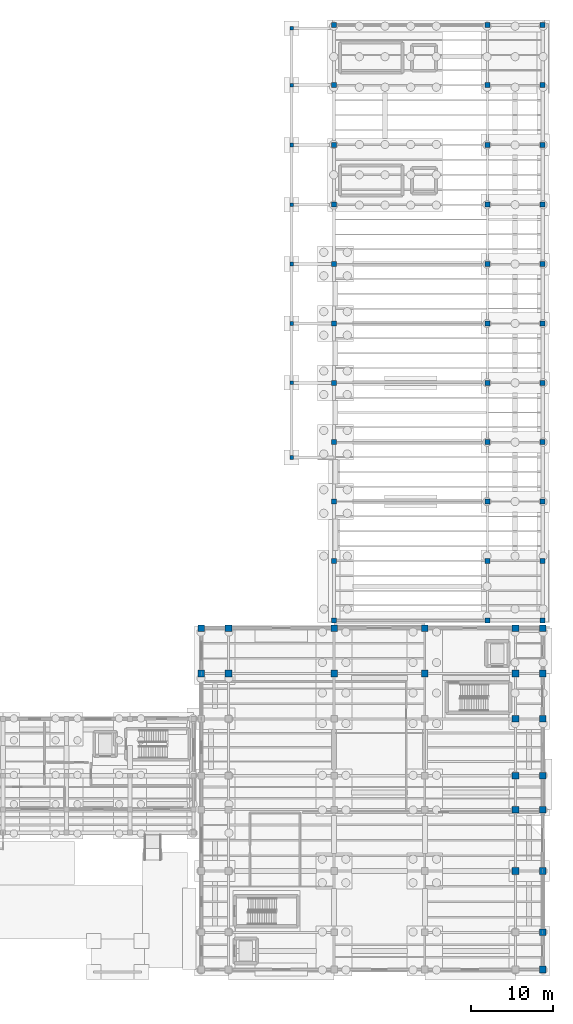
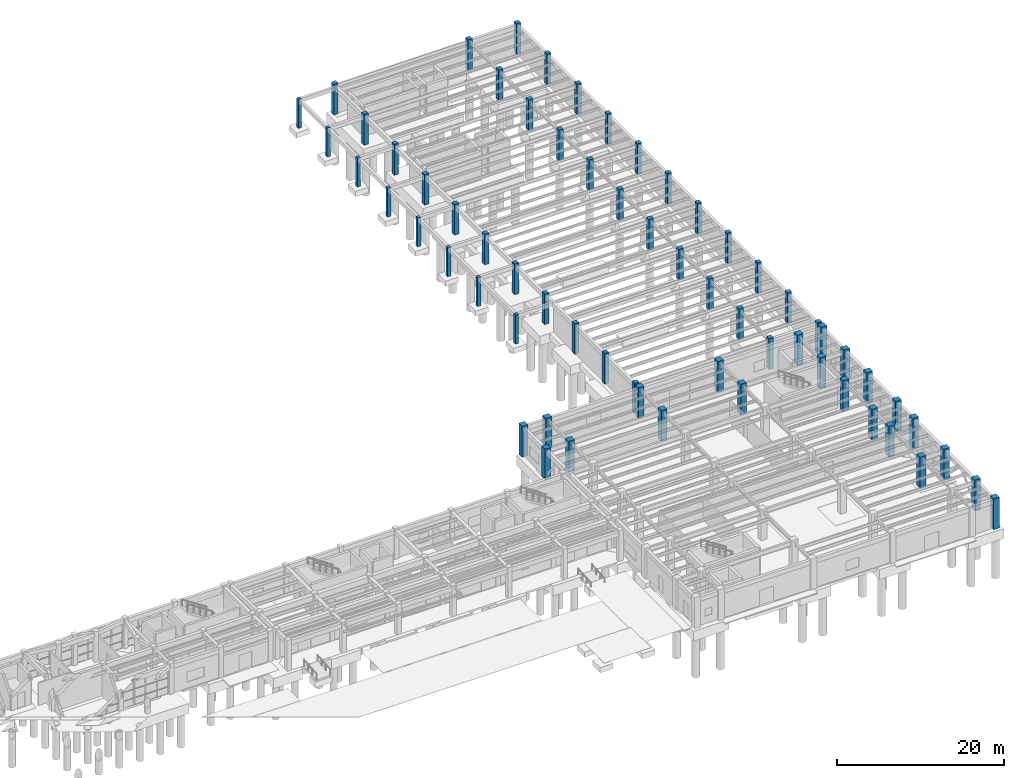
# One storey, part 7 of 41: 63 columns.
"""IFC4 building model written with IfcOpenShell, lengths in metres."""

from ifc_helpers import new_model, si_unit, direction, frame, origin, origin_2d, place, context, subcontext, project, spatial, rectangle, extrude, material, material_profile, profile_set, type_object, element, save


model = new_model("IFC4")

# Units and contexts
model_context = context("Model", 3, precision=1e-05, world=origin(), true_north=direction((0.0, 1.0)))
body_context = subcontext(model_context, "Body", "Model", "MODEL_VIEW")
ifc_project = project(units=[si_unit("LENGTHUNIT", "METRE"), si_unit("AREAUNIT", "SQUARE_METRE"), si_unit("VOLUMEUNIT", "CUBIC_METRE"), si_unit("PLANEANGLEUNIT", "RADIAN"), si_unit("MASSUNIT", "GRAM", prefix="KILO")], contexts=[model_context])

# Site, building, storey
site_placement = place(None, origin())
site = spatial("IfcSite", under=ifc_project, at=site_placement, CompositionType="ELEMENT")
building_placement = place(site_placement, origin())
building = spatial("IfcBuilding", under=site, at=building_placement, Name="Candilejo Ridge Gondola Terminal", CompositionType="ELEMENT")
storey_placement = place(building_placement, origin())
storey = spatial("IfcBuildingStorey", under=building, at=storey_placement, Name="L00", CompositionType="ELEMENT", Elevation=0.0)

# Columns
ifc_material_1 = material(Name="Concrete f'c 35 MPa (C35/45)", Category="concrete")
ifc_material_profile_1 = material_profile(ifc_material_1, rectangle(XDim=0.449951171875, YDim=0.449951171875, at=origin_2d()))
ifc_profile_set_1 = profile_set([ifc_material_profile_1], Name="Concrete f'c 35 MPa (C35/45)")
column_type_1 = type_object("IfcColumnType", Name="STR-COL-RC450", PredefinedType="COLUMN", material=ifc_profile_set_1)
for number, where, z_axis, x_axis, name in (
    (1, (144.85009765625, 68.39990234375, 0.0), (0.0, 0.0, 1.0), (1.0, 0.0, 0.0), "Bench ledge pier column 01"),
    (2, (144.85009765625, 77.449951171875, 0.0), (0.0, 0.0, 1.0), (1.0, 0.0, 0.0), "Bench ledge pier column 02"),
    (3, (144.85009765625, 84.64990234375, 0.0), (0.0, 0.0, 1.0), (1.0, 0.0, 0.0), "Bench ledge pier column 03"),
    (4, (144.85009765625, 91.85009765625, 0.0), (0.0, 0.0, 1.0), (1.0, 0.0, 0.0), "Bench ledge pier column 04"),
    (5, (144.85009765625, 99.050048828125, 0.0), (0.0, 0.0, 1.0), (1.0, 0.0, 0.0), "Bench ledge pier column 05"),
    (6, (144.85009765625, 106.300048828125, 0.0), (0.0, 0.0, 1.0), (1.0, 0.0, 0.0), "Bench ledge pier column 06"),
    (7, (144.85009765625, 113.550048828125, 0.0), (0.0, 0.0, 1.0), (1.0, 0.0, 0.0), "Bench ledge pier column 07"),
    (8, (144.85009765625, 120.449951171875, 0.0), (0.0, 0.0, 1.0), (1.0, 0.0, 0.0), "Bench ledge pier column 08"),
):
    element("IfcColumn", number, at=place(storey_placement, frame(where, z_axis=z_axis, x_axis=x_axis)), inside=storey, type_object=column_type_1, Name=name, PredefinedType="COLUMN", context=body_context, shape_type="SweptSolid", body=[
        extrude(rectangle(XDim=0.449951171875, YDim=0.449951171875, at=origin_2d()), origin(), (0.0, 0.0, 1.0), 4.239990234375),
    ])
ifc_material_2 = material(Name="Concrete f'c 35 MPa (C35/45)", Category="concrete")
ifc_material_profile_2 = material_profile(ifc_material_2, rectangle(XDim=0.60009765625, YDim=0.60009765625, at=origin_2d()))
ifc_profile_set_2 = profile_set([ifc_material_profile_2], Name="Concrete f'c 35 MPa (C35/45)")
column_type_2 = type_object("IfcColumnType", Name="STR-COL-RC600", PredefinedType="COLUMN", material=ifc_profile_set_2)
for number, where, z_axis, x_axis, name in (
    (9, (150.0, 48.64990234375, 0.0), (0.0, 0.0, 1.0), (1.0, 0.0, 0.0), "Column V5 L00 X23-Y10"),
    (10, (150.0, 55.85009765625, 0.0), (0.0, 0.0, 1.0), (1.0, 0.0, 0.0), "Column V5 L00 X23-Y11"),
    (11, (150.0, 63.050048828125, 0.0), (0.0, 0.0, 1.0), (1.0, 0.0, 0.0), "Column V5 L00 X23-Y12"),
    (12, (150.0, 70.25, 0.0), (0.0, 0.0, 1.0), (1.0, 0.0, 0.0), "Column V5 L00 X23-Y13"),
    (13, (150.0, 77.449951171875, 0.0), (0.0, 0.0, 1.0), (1.0, 0.0, 0.0), "Column V5 L00 X23-Y14"),
    (14, (150.0, 84.64990234375, 0.0), (0.0, 0.0, 1.0), (1.0, 0.0, 0.0), "Column V5 L00 X23-Y15"),
    (15, (150.0, 91.85009765625, 0.0), (0.0, 0.0, 1.0), (1.0, 0.0, 0.0), "Column V5 L00 X23-Y16"),
    (16, (150.0, 99.050048828125, 0.0), (0.0, 0.0, 1.0), (1.0, 0.0, 0.0), "Column V5 L00 X23-Y17"),
    (17, (150.0, 106.300048828125, 0.0), (0.0, 0.0, 1.0), (1.0, 0.0, 0.0), "Column V5 L00 X23-Y18"),
    (18, (150.0, 113.550048828125, 0.0), (0.0, 0.0, 1.0), (1.0, 0.0, 0.0), "Column V5 L00 X23-Y19"),
    (19, (150.0, 120.85009765625, 0.0), (0.0, 0.0, 1.0), (1.0, 0.0, 0.0), "Column V5 L00 X23-Y20"),
    (20, (168.60009765625, 48.64990234375, 0.0), (0.0, 0.0, 1.0), (1.0, 0.0, 0.0), "Column V5 L00 X25-Y10"),
    (21, (168.60009765625, 55.85009765625, 0.0), (0.0, 0.0, 1.0), (1.0, 0.0, 0.0), "Column V5 L00 X25-Y11"),
    (22, (168.60009765625, 63.050048828125, 0.0), (0.0, 0.0, 1.0), (1.0, 0.0, 0.0), "Column V5 L00 X25-Y12"),
    (23, (168.60009765625, 70.25, 0.0), (0.0, 0.0, 1.0), (1.0, 0.0, 0.0), "Column V5 L00 X25-Y13"),
    (24, (168.60009765625, 77.449951171875, 0.0), (0.0, 0.0, 1.0), (1.0, 0.0, 0.0), "Column V5 L00 X25-Y14"),
    (25, (168.60009765625, 84.64990234375, 0.0), (0.0, 0.0, 1.0), (1.0, 0.0, 0.0), "Column V5 L00 X25-Y15"),
    (26, (168.60009765625, 91.85009765625, 0.0), (0.0, 0.0, 1.0), (1.0, 0.0, 0.0), "Column V5 L00 X25-Y16"),
    (27, (168.60009765625, 99.050048828125, 0.0), (0.0, 0.0, 1.0), (1.0, 0.0, 0.0), "Column V5 L00 X25-Y17"),
    (28, (168.60009765625, 106.300048828125, 0.0), (0.0, 0.0, 1.0), (1.0, 0.0, 0.0), "Column V5 L00 X25-Y18"),
    (29, (168.60009765625, 113.550048828125, 0.0), (0.0, 0.0, 1.0), (1.0, 0.0, 0.0), "Column V5 L00 X25-Y19"),
    (30, (168.60009765625, 120.85009765625, 0.0), (0.0, 0.0, 1.0), (1.0, 0.0, 0.0), "Column V5 L00 X25-Y20"),
    (31, (175.300048828125, 48.64990234375, 0.0), (0.0, 0.0, 1.0), (1.0, 0.0, 0.0), "Column V5 L00 X27-Y10"),
    (32, (175.300048828125, 55.85009765625, 0.0), (0.0, 0.0, 1.0), (1.0, 0.0, 0.0), "Column V5 L00 X27-Y11"),
    (33, (175.300048828125, 63.050048828125, 0.0), (0.0, 0.0, 1.0), (1.0, 0.0, 0.0), "Column V5 L00 X27-Y12"),
    (34, (175.300048828125, 70.25, 0.0), (0.0, 0.0, 1.0), (1.0, 0.0, 0.0), "Column V5 L00 X27-Y13"),
    (35, (175.300048828125, 77.449951171875, 0.0), (0.0, 0.0, 1.0), (1.0, 0.0, 0.0), "Column V5 L00 X27-Y14"),
    (36, (175.300048828125, 84.64990234375, 0.0), (0.0, 0.0, 1.0), (1.0, 0.0, 0.0), "Column V5 L00 X27-Y15"),
    (37, (175.300048828125, 91.85009765625, 0.0), (0.0, 0.0, 1.0), (1.0, 0.0, 0.0), "Column V5 L00 X27-Y16"),
    (38, (175.300048828125, 99.050048828125, 0.0), (0.0, 0.0, 1.0), (1.0, 0.0, 0.0), "Column V5 L00 X27-Y17"),
    (39, (175.300048828125, 106.300048828125, 0.0), (0.0, 0.0, 1.0), (1.0, 0.0, 0.0), "Column V5 L00 X27-Y18"),
    (40, (175.300048828125, 113.550048828125, 0.0), (0.0, 0.0, 1.0), (1.0, 0.0, 0.0), "Column V5 L00 X27-Y19"),
    (41, (175.300048828125, 120.85009765625, 0.0), (0.0, 0.0, 1.0), (1.0, 0.0, 0.0), "Column V5 L00 X27-Y20"),
):
    element("IfcColumn", number, at=place(storey_placement, frame(where, z_axis=z_axis, x_axis=x_axis)), inside=storey, type_object=column_type_2, Name=name, PredefinedType="COLUMN", context=body_context, shape_type="SweptSolid", body=[
        extrude(rectangle(XDim=0.60009765625, YDim=0.60009765625, at=origin_2d()), origin(), (0.0, 0.0, 1.0), 4.5),
    ])
ifc_material_3 = material(Name="Concrete f'c 35 MPa (C35/45)", Category="concrete")
ifc_material_profile_3 = material_profile(ifc_material_3, rectangle(XDim=0.800048828125, YDim=0.800048828125, at=origin_2d()))
ifc_profile_set_3 = profile_set([ifc_material_profile_3], Name="Concrete f'c 35 MPa (C35/45)")
column_type_3 = type_object("IfcColumnType", Name="STR-COL-RC800", PredefinedType="COLUMN", material=ifc_profile_set_3)
for number, where, z_axis, x_axis, name in (
    (42, (133.89990234375, 42.199951171875, 0.0), (0.0, 0.0, 1.0), (1.0, 0.0, 0.0), "Column V4 L00 X21-Y08"),
    (43, (133.89990234375, 47.699951171875, 0.0), (0.0, 0.0, 1.0), (1.0, 0.0, 0.0), "Column V4 L00 X21-Y09"),
    (44, (137.199951171875, 42.199951171875, 0.0), (0.0, 0.0, 1.0), (1.0, 0.0, 0.0), "Column V4 L00 X22-Y08"),
    (45, (137.199951171875, 47.699951171875, 0.0), (0.0, 0.0, 1.0), (1.0, 0.0, 0.0), "Column V4 L00 X22-Y09"),
    (46, (150.0, 42.199951171875, 0.0), (0.0, 0.0, 1.0), (1.0, 0.0, 0.0), "Column V4 L00 X23-Y08"),
    (47, (150.0, 47.699951171875, 0.0), (0.0, 0.0, 1.0), (1.0, 0.0, 0.0), "Column V4 L00 X23-Y09"),
    (48, (161.0, 42.199951171875, 0.0), (0.0, 0.0, 1.0), (1.0, 0.0, 0.0), "Column V4 L00 X24-Y08"),
    (49, (161.0, 47.699951171875, 0.0), (0.0, 0.0, 1.0), (1.0, 0.0, 0.0), "Column V4 L00 X24-Y09"),
    (50, (172.0, 18.25, 0.0), (0.0, 0.0, 1.0), (1.0, 0.0, 0.0), "Column V4 L00 X26-Y03"),
    (51, (172.0, 25.699951171875, 0.0), (0.0, 0.0, 1.0), (1.0, 0.0, 0.0), "Column V4 L00 X26-Y05"),
    (52, (172.0, 29.800048828125, 0.0), (0.0, 0.0, 1.0), (1.0, 0.0, 0.0), "Column V4 L00 X26-Y06"),
    (53, (172.0, 36.699951171875, 0.0), (0.0, 0.0, 1.0), (1.0, 0.0, 0.0), "Column V4 L00 X26-Y07"),
    (54, (172.0, 42.199951171875, 0.0), (0.0, 0.0, 1.0), (1.0, 0.0, 0.0), "Column V4 L00 X26-Y08"),
    (55, (172.0, 47.699951171875, 0.0), (0.0, 0.0, 1.0), (1.0, 0.0, 0.0), "Column V4 L00 X26-Y09"),
    (56, (175.300048828125, 6.300048828125, 0.0), (0.0, 0.0, 1.0), (1.0, 0.0, 0.0), "Column V4 L00 X27-Y01"),
    (57, (175.300048828125, 10.800048828125, 0.0), (0.0, 0.0, 1.0), (1.0, 0.0, 0.0), "Column V4 L00 X27-Y02"),
    (58, (175.300048828125, 18.25, 0.0), (0.0, 0.0, 1.0), (1.0, 0.0, 0.0), "Column V4 L00 X27-Y03"),
    (59, (175.300048828125, 25.699951171875, 0.0), (0.0, 0.0, 1.0), (1.0, 0.0, 0.0), "Column V4 L00 X27-Y05"),
    (60, (175.300048828125, 29.800048828125, 0.0), (0.0, 0.0, 1.0), (1.0, 0.0, 0.0), "Column V4 L00 X27-Y06"),
    (61, (175.300048828125, 36.699951171875, 0.0), (0.0, 0.0, 1.0), (1.0, 0.0, 0.0), "Column V4 L00 X27-Y07"),
    (62, (175.300048828125, 42.199951171875, 0.0), (0.0, 0.0, 1.0), (1.0, 0.0, 0.0), "Column V4 L00 X27-Y08"),
    (63, (175.300048828125, 47.699951171875, 0.0), (0.0, 0.0, 1.0), (1.0, 0.0, 0.0), "Column V4 L00 X27-Y09"),
):
    element("IfcColumn", number, at=place(storey_placement, frame(where, z_axis=z_axis, x_axis=x_axis)), inside=storey, type_object=column_type_3, Name=name, PredefinedType="COLUMN", context=body_context, shape_type="SweptSolid", body=[
        extrude(rectangle(XDim=0.800048828125, YDim=0.800048828125, at=origin_2d()), origin(), (0.0, 0.0, 1.0), 4.5),
    ])

save(model, "model.ifc")
